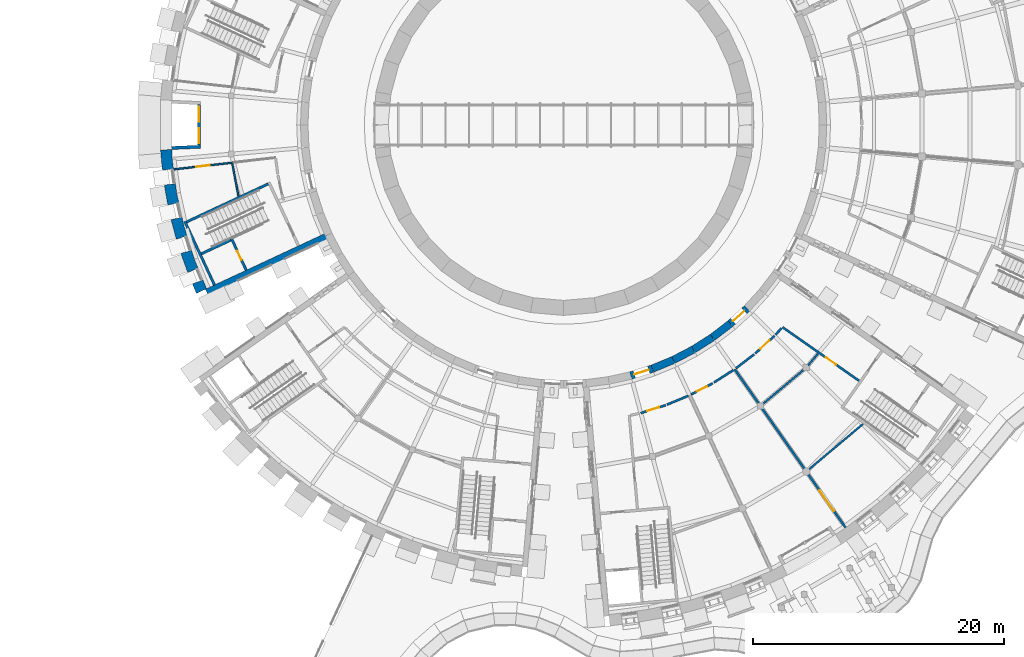
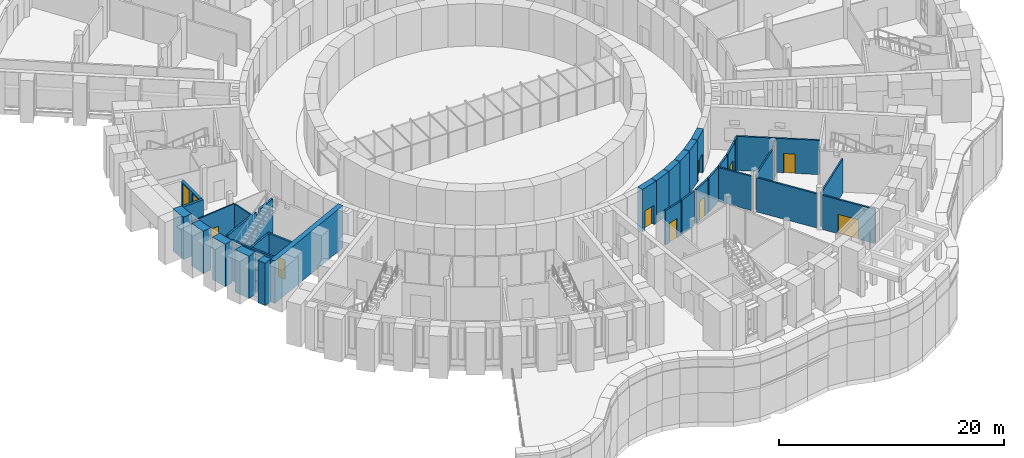
# One storey, part 49 of 85: 34 walls, 9 doors, 2 windows, 11 openings.
"""IFC4 building model written with IfcOpenShell, lengths in metres."""

from ifc_helpers import new_model, si_unit, direction, frame, frame_2d, origin, place, context, subcontext, project, spatial, polyline, rectangle, outline, extrude, material, layer, layer_set, type_object, element, fill, save


model = new_model("IFC4")

# Units and contexts
model_context = context("Model", 3, precision=1e-05, world=origin(), true_north=direction((0.0, 1.0)))
body_context = subcontext(model_context, "Body", "Model", "MODEL_VIEW")
ifc_project = project(units=[si_unit("LENGTHUNIT", "METRE"), si_unit("AREAUNIT", "SQUARE_METRE"), si_unit("VOLUMEUNIT", "CUBIC_METRE"), si_unit("PLANEANGLEUNIT", "RADIAN"), si_unit("MASSUNIT", "GRAM", prefix="KILO")], contexts=[model_context])

# Site, building, storey
site_placement = place(None, origin())
site = spatial("IfcSite", under=ifc_project, at=site_placement, CompositionType="ELEMENT")
building_placement = place(site_placement, origin())
building = spatial("IfcBuilding", under=site, at=building_placement, Name="Volute Hill Aquarium", CompositionType="ELEMENT")
storey_placement = place(building_placement, origin())
storey = spatial("IfcBuildingStorey", under=building, at=storey_placement, Name="L01", CompositionType="ELEMENT", Elevation=0.0)

# Walls
ifc_material_1 = material(Name="Gypsum board on steel studs", Category="steel")
ifc_layer_1 = layer(ifc_material_1, 0.14990234375)
ifc_layer_set_1 = layer_set([ifc_layer_1], Name="Acoustic partition 150")
wall_type_1 = type_object("IfcWallType", Name="Acoustic partition 150", PredefinedType="PARTITIONING", material=ifc_layer_set_1)
wall_1_placement = place(storey_placement, frame((23.876708984375, -23.876708984375, 0.0), z_axis=(0.0, 0.0, 1.0), x_axis=(-0.766054856191, -0.642775199666, 0.0)))
element("IfcWall", 1, at=wall_1_placement, inside=storey, type_object=wall_type_1, Name="pw/S3/L01/005", PredefinedType="PARTITIONING", context=body_context, shape_type="SweptSolid", body=[
    extrude(rectangle(XDim=5.64599609375, YDim=0.14990234375, at=frame_2d((2.822998046875, 0.0))), origin(), (0.0, 0.0, 1.0), 3.7099609375),
])
wall_2_placement = place(storey_placement, frame((19.17919921875, -19.51708984375, 0.0), z_axis=(0.0, 0.0, 1.0), x_axis=(-0.766054249298, -0.642775922956, 0.0)))
element("IfcWall", 2, at=wall_2_placement, inside=storey, type_object=wall_type_1, Name="pw/S3/L01/009", PredefinedType="PARTITIONING", context=body_context, shape_type="SweptSolid", body=[
    extrude(rectangle(XDim=4.29345703125, YDim=0.14990234375, at=frame_2d((2.146728515625, 0.0))), origin(), (0.0, 0.0, 1.0), 3.7099609375),
])
wall_3_placement = place(storey_placement, frame((20.290771484375, -18.257080078125, 0.0), z_axis=(0.0, 0.0, 1.0), x_axis=(-0.642754365142, -0.766072337375, 0.0)))
element("IfcWall", 3, at=wall_3_placement, inside=storey, type_object=wall_type_1, Name="pw/S3/L01/021", PredefinedType="PARTITIONING", context=body_context, shape_type="SweptSolid", body=[
    extrude(rectangle(XDim=1.20361328125, YDim=0.14990234375, at=frame_2d((0.601806640625, 0.0))), origin(), (0.0, 0.0, 1.0), 3.7099609375),
])
ifc_material_2 = material(Name="Concrete C30/37", Category="concrete")
ifc_layer_2 = layer(ifc_material_2, 0.199951171875)
ifc_layer_set_2 = layer_set([ifc_layer_2], Name="Core wall 200 REI 60")
wall_type_2 = type_object("IfcWallType", Name="Core wall 200 REI 60", PredefinedType="SHEAR", material=ifc_layer_set_2)
wall_4_placement = place(storey_placement, frame((-23.5712890625, -4.7021484375, 0.0), z_axis=(0.0, 0.0, 1.0), x_axis=(-0.906300917592, -0.422632992999, 0.0)))
element("IfcWall", 4, at=wall_4_placement, inside=storey, type_object=wall_type_2, Name="wc/S1-B/L01/side", PredefinedType="SHEAR", context=body_context, shape_type="SweptSolid", body=[
    extrude(outline(polyline([(0.0, 0.0), (7.199951171875, 0.0), (7.199951171875, 4.35009765625), (7.14990234375, 3.8798828125), (6.949951171875, 3.8798828125), (6.89990234375, 4.35009765625), (2.55224609375, 4.35009765625), (2.502197265625, 3.830078125), (2.002197265625, 3.830078125), (1.952392578125, 4.35009765625), (0.0, 4.35009765625), (0.0, 0.0)])), frame((0.0, 0.10009765625, 0.0), z_axis=(0.0, -1.0, 0.0), x_axis=(1.0, 0.0, 0.0)), (0.0, 0.0, 1.0), 0.199951171875),
])
wall_5_placement = place(storey_placement, frame((-27.86279296875, -12.77197265625, 0.0), z_axis=(0.0, 0.0, 1.0), x_axis=(-0.422632457081, 0.906301167505, 0.0)))
element("IfcWall", 5, at=wall_5_placement, inside=storey, type_object=wall_type_2, Name="wc/S1-B/L01/out", PredefinedType="SHEAR", context=body_context, shape_type="SweptSolid", body=[
    extrude(outline(polyline([(0.0, 0.0), (5.599853515625, 0.0), (5.60009765625, 4.35009765625), (5.333984375, 4.35009765625), (5.283935546875, 3.8798828125), (4.783935546875, 3.8798828125), (4.73388671875, 4.35009765625), (0.0, 4.35009765625), (0.0, 0.0)])), frame((0.0, 0.10009765625, 0.0), z_axis=(0.0, -1.0, 0.0), x_axis=(1.0, 0.0, 0.0)), (0.0, 0.0, 1.0), 0.199951171875),
])

# Wall, opening, door
ifc_material_3 = material(Name="Gypsum board on steel studs", Category="steel")
ifc_layer_3 = layer(ifc_material_3, 0.175048828125)
ifc_layer_set_3 = layer_set([ifc_layer_3], Name="Corridor partition 175 EI 60")
wall_type_3 = type_object("IfcWallType", Name="Corridor partition 175 EI 60", PredefinedType="PARTITIONING", material=ifc_layer_set_3)
wall_6_placement = place(storey_placement, frame((23.57470703125, -20.41357421875, 0.0), z_axis=(0.0, 0.0, 1.0), x_axis=(-0.819168869171, 0.573552407179, 0.0)))
wall_6 = element("IfcWall", 6, at=wall_6_placement, inside=storey, type_object=wall_type_3, Name="pw/S3/L01/001", PredefinedType="PARTITIONING", context=body_context, shape_type="SweptSolid", body=[
    extrude(rectangle(XDim=7.458984375, YDim=0.175048828125, at=frame_2d((3.7294921875, 0.0))), origin(), (0.0, 0.0, 1.0), 3.7099609375),
])
opening_1_placement = place(wall_6_placement, frame((2.2294921875, 0.0, 0.0)))
opening_1 = element("IfcOpeningElement", 7, at=opening_1_placement, cuts=wall_6, Name="Opening D3.01.05", PredefinedType="OPENING", context=body_context, shape_type="SweptSolid", body=[
    extrude(rectangle(XDim=1.0, YDim=2.10009765625, at=frame_2d((0.5, 1.050048828125))), frame((0.0, 0.097412109375, 0.0), z_axis=(0.0, -1.0, 0.0), x_axis=(1.0, 0.0, 0.0)), (0.0, 0.0, 1.0), 0.195068359375),
])
ifc_material_4 = material(Name="Timber, fire-rated", Category="wood")
door_type_1 = type_object("IfcDoorType", Name="Door 1000 x 2100 single EI1 30", OperationType="SINGLE_SWING_LEFT", PredefinedType="DOOR", material=ifc_material_4)
door_1_placement = place(opening_1_placement, origin())
door_1 = element("IfcDoor", 8, at=door_1_placement, inside=storey, type_object=door_type_1, Name="d/S3/L01/05", OperationType="SINGLE_SWING_LEFT", OverallHeight=2.10009765625, OverallWidth=1.0, PredefinedType="DOOR", context=body_context, shape_type="SweptSolid", body=[
    extrude(rectangle(XDim=1.0, YDim=2.10009765625, at=frame_2d((0.5, 1.050048828125))), frame((0.0, 0.02490234375, 0.0), z_axis=(0.0, -1.0, 0.0), x_axis=(1.0, 0.0, 0.0)), (0.0, 0.0, 1.0), 0.050048828125),
])
fill(opening_1, door_1)

# Wall
wall_7_placement = place(storey_placement, frame((19.230224609375, -27.463623046875, 0.0), z_axis=(0.0, 0.0, 1.0), x_axis=(-0.573565028322, 0.819160032158, 0.0)))
element("IfcWall", 9, at=wall_7_placement, inside=storey, type_object=wall_type_3, Name="pw/S3/L01/003", PredefinedType="PARTITIONING", context=body_context, shape_type="SweptSolid", body=[
    extrude(rectangle(XDim=5.90380859375, YDim=0.175048828125, at=frame_2d((2.951904296875, 0.0))), origin(), (0.0, 0.0, 1.0), 3.7099609375),
])

# Wall, opening, door
wall_8_placement = place(storey_placement, frame((19.50537109375, -27.8564453125, 0.0), z_axis=(0.0, 0.0, 1.0), x_axis=(0.573553483217, -0.819168115767, 0.0)))
wall_8 = element("IfcWall", 10, at=wall_8_placement, inside=storey, type_object=wall_type_3, Name="pw/S3/L01/007", PredefinedType="PARTITIONING", context=body_context, shape_type="SweptSolid", body=[
    extrude(rectangle(XDim=5.213623046875, YDim=0.175048828125, at=frame_2d((2.60693359375, 0.0))), origin(), (0.0, 0.0, 1.0), 3.7099609375),
])
opening_2_placement = place(wall_8_placement, frame((1.606689453125, 0.0, 0.0)))
opening_2 = element("IfcOpeningElement", 11, at=opening_2_placement, cuts=wall_8, Name="Opening D3.01.07", PredefinedType="OPENING", context=body_context, shape_type="SweptSolid", body=[
    extrude(rectangle(XDim=2.0, YDim=2.10009765625, at=frame_2d((1.0, 1.050048828125))), frame((0.0, 0.097412109375, 0.0), z_axis=(0.0, -1.0, 0.0), x_axis=(1.0, 0.0, 0.0)), (0.0, 0.0, 1.0), 0.195068359375),
])
ifc_material_5 = material(Name="Timber, fire-rated", Category="wood")
door_type_2 = type_object("IfcDoorType", Name="Door 2000 x 2100 hall double EI1 30", OperationType="DOUBLE_DOOR_SINGLE_SWING", PredefinedType="DOOR", material=ifc_material_5)
door_2_placement = place(opening_2_placement, origin())
door_2 = element("IfcDoor", 12, at=door_2_placement, inside=storey, type_object=door_type_2, Name="d/S3/L01/07", OperationType="SINGLE_SWING_LEFT", OverallHeight=2.10009765625, OverallWidth=2.0, PredefinedType="DOOR", context=body_context, shape_type="SweptSolid", body=[
    extrude(rectangle(XDim=2.0, YDim=2.10009765625, at=frame_2d((1.0, 1.050048828125))), frame((0.0, 0.02490234375, 0.0), z_axis=(0.0, -1.0, 0.0), x_axis=(1.0, 0.0, 0.0)), (0.0, 0.0, 1.0), 0.050048828125),
])
fill(opening_2, door_2)

# Wall
wall_9_placement = place(storey_placement, frame((15.56884765625, -22.234619140625, 0.0), z_axis=(0.0, 0.0, 1.0), x_axis=(-0.573579956171, 0.819149579673, 0.0)))
element("IfcWall", 13, at=wall_9_placement, inside=storey, type_object=wall_type_3, Name="pw/S3/L01/012", PredefinedType="PARTITIONING", context=body_context, shape_type="SweptSolid", body=[
    extrude(rectangle(XDim=3.343505859375, YDim=0.175048828125, at=frame_2d((1.671875, 0.0))), origin(), (0.0, 0.0, 1.0), 3.7099609375),
])

# Wall, opening, door
wall_10_placement = place(storey_placement, frame((16.8291015625, -16.8291015625, 0.0), z_axis=(0.0, 0.0, 1.0), x_axis=(-0.737241988031, -0.675628782013, 0.0)))
wall_10 = element("IfcWall", 14, at=wall_10_placement, inside=storey, type_object=wall_type_3, Name="pw/S3/L01/013", PredefinedType="PARTITIONING", context=body_context, shape_type="SweptSolid", body=[
    extrude(rectangle(XDim=2.076416015625, YDim=0.175048828125, at=frame_2d((1.0380859375, 0.0))), origin(), (0.0, 0.0, 1.0), 3.7099609375),
])
opening_3_placement = place(wall_10_placement, frame((0.5380859375, 0.0, 0.0)))
opening_3 = element("IfcOpeningElement", 15, at=opening_3_placement, cuts=wall_10, Name="Opening D3.01.04", PredefinedType="OPENING", context=body_context, shape_type="SweptSolid", body=[
    extrude(rectangle(XDim=1.0, YDim=2.10009765625, at=frame_2d((0.5, 1.050048828125))), frame((0.0, 0.097412109375, 0.0), z_axis=(0.0, -1.0, 0.0), x_axis=(1.0, 0.0, 0.0)), (0.0, 0.0, 1.0), 0.195068359375),
])
door_3_placement = place(opening_3_placement, origin())
door_3 = element("IfcDoor", 16, at=door_3_placement, inside=storey, type_object=door_type_1, Name="d/S3/L01/04", OperationType="SINGLE_SWING_RIGHT", OverallHeight=2.10009765625, OverallWidth=1.0, PredefinedType="DOOR", context=body_context, shape_type="SweptSolid", body=[
    extrude(rectangle(XDim=1.0, YDim=2.10009765625, at=frame_2d((0.5, 1.050048828125))), frame((0.0, 0.02490234375, 0.0), z_axis=(0.0, -1.0, 0.0), x_axis=(1.0, 0.0, 0.0)), (0.0, 0.0, 1.0), 0.050048828125),
])
fill(opening_3, door_3)

wall_11_placement = place(storey_placement, frame((11.89990234375, -20.611328125, 0.0), z_axis=(0.0, 0.0, 1.0), x_axis=(-0.886977909213, -0.46181185408, 0.0)))
wall_11 = element("IfcWall", 17, at=wall_11_placement, inside=storey, type_object=wall_type_3, Name="pw/S3/L01/014", PredefinedType="PARTITIONING", context=body_context, shape_type="SweptSolid", body=[
    extrude(rectangle(XDim=1.958740234375, YDim=0.175048828125, at=frame_2d((0.9794921875, 0.0))), origin(), (0.0, 0.0, 1.0), 3.7099609375),
])
opening_4_placement = place(wall_11_placement, frame((0.529296875, 0.0, 0.0)))
opening_4 = element("IfcOpeningElement", 18, at=opening_4_placement, cuts=wall_11, Name="Opening D3.01.01", PredefinedType="OPENING", context=body_context, shape_type="SweptSolid", body=[
    extrude(rectangle(XDim=0.89990234375, YDim=2.10009765625, at=frame_2d((0.449951171875, 1.050048828125))), frame((0.0, 0.097412109375, 0.0), z_axis=(0.0, -1.0, 0.0), x_axis=(1.0, 0.0, 0.0)), (0.0, 0.0, 1.0), 0.195068359375),
])
ifc_material_6 = material(Name="Timber, fire-rated", Category="wood")
door_type_3 = type_object("IfcDoorType", Name="Door 900 x 2100 wc single EI1 30", OperationType="SINGLE_SWING_LEFT", PredefinedType="DOOR", material=ifc_material_6)
door_4_placement = place(opening_4_placement, origin())
door_4 = element("IfcDoor", 19, at=door_4_placement, inside=storey, type_object=door_type_3, Name="d/S3/L01/01", OperationType="SINGLE_SWING_LEFT", OverallHeight=2.10009765625, OverallWidth=0.89990234375, PredefinedType="DOOR", context=body_context, shape_type="SweptSolid", body=[
    extrude(rectangle(XDim=0.89990234375, YDim=2.10009765625, at=frame_2d((0.449951171875, 1.050048828125))), frame((0.0, 0.02490234375, 0.0), z_axis=(0.0, -1.0, 0.0), x_axis=(1.0, 0.0, 0.0)), (0.0, 0.0, 1.0), 0.050048828125),
])
fill(opening_4, door_4)

wall_12_placement = place(storey_placement, frame((8.14013671875, -22.36474609375, 0.0), z_axis=(0.0, 0.0, 1.0), x_axis=(-0.953730050022, -0.300664250759, 0.0)))
wall_12 = element("IfcWall", 20, at=wall_12_placement, inside=storey, type_object=wall_type_3, Name="pw/S3/L01/015", PredefinedType="PARTITIONING", context=body_context, shape_type="SweptSolid", body=[
    extrude(rectangle(XDim=2.076416015625, YDim=0.175048828125, at=frame_2d((1.0380859375, 0.0))), origin(), (0.0, 0.0, 1.0), 3.7099609375),
])
opening_5_placement = place(wall_12_placement, frame((0.5380859375, 0.0, 0.0)))
opening_5 = element("IfcOpeningElement", 21, at=opening_5_placement, cuts=wall_12, Name="Opening D3.01.02", PredefinedType="OPENING", context=body_context, shape_type="SweptSolid", body=[
    extrude(rectangle(XDim=1.0, YDim=2.10009765625, at=frame_2d((0.5, 1.050048828125))), frame((0.0, 0.097412109375, 0.0), z_axis=(0.0, -1.0, 0.0), x_axis=(1.0, 0.0, 0.0)), (0.0, 0.0, 1.0), 0.195068359375),
])
door_5_placement = place(opening_5_placement, origin())
door_5 = element("IfcDoor", 22, at=door_5_placement, inside=storey, type_object=door_type_1, Name="d/S3/L01/02", OperationType="SINGLE_SWING_RIGHT", OverallHeight=2.10009765625, OverallWidth=1.0, PredefinedType="DOOR", context=body_context, shape_type="SweptSolid", body=[
    extrude(rectangle(XDim=1.0, YDim=2.10009765625, at=frame_2d((0.5, 1.050048828125))), frame((0.0, 0.02490234375, 0.0), z_axis=(0.0, -1.0, 0.0), x_axis=(1.0, 0.0, 0.0)), (0.0, 0.0, 1.0), 0.050048828125),
])
fill(opening_5, door_5)

# Walls
for number, where, z_axis, x_axis, name in (
    (23, (13.552001953125, -19.558837890625, 0.0), (0.0, 0.0, 1.0), (-0.843355631899, -0.537355820797, 0.0), "pw/S3/L01/016"),
    (24, (9.94970703125, -21.614990234375, 0.0), (0.0, 0.0, 1.0), (-0.923890787601, -0.382656259044, 0.0), "pw/S3/L01/017"),
):
    element("IfcWall", number, at=place(storey_placement, frame(where, z_axis=z_axis, x_axis=x_axis)), inside=storey, type_object=wall_type_3, Name=name, PredefinedType="PARTITIONING", context=body_context, shape_type="SweptSolid", body=[
        extrude(rectangle(XDim=1.84130859375, YDim=0.175048828125, at=frame_2d((0.920654296875, 0.0))), origin(), (0.0, 0.0, 1.0), 3.7099609375),
    ])
wall_13_placement = place(storey_placement, frame((15.205078125, -18.303466796875, 0.0), z_axis=(0.0, 0.0, 1.0), x_axis=(-0.793348048489, -0.608768325357, 0.0)))
element("IfcWall", 25, at=wall_13_placement, inside=storey, type_object=wall_type_3, Name="pw/S3/L01/018", PredefinedType="PARTITIONING", context=body_context, shape_type="SweptSolid", body=[
    extrude(rectangle(XDim=1.841064453125, YDim=0.175048828125, at=frame_2d((0.92041015625, 0.0))), origin(), (0.0, 0.0, 1.0), 3.7099609375),
])
wall_14_placement = place(storey_placement, frame((17.385498046875, -16.22216796875, 0.0), z_axis=(0.0, 0.0, 1.0), x_axis=(-0.675834256002, -0.737053633337, 0.0)))
element("IfcWall", 26, at=wall_14_placement, inside=storey, type_object=wall_type_3, Name="pw/S3/L01/023", PredefinedType="PARTITIONING", context=body_context, shape_type="SweptSolid", body=[
    extrude(rectangle(XDim=0.705810546875, YDim=0.175048828125, at=frame_2d((0.35302734375, 0.0))), origin(), (0.0, 0.0, 1.0), 3.7099609375),
])

# Wall, opening, door
ifc_material_7 = material(Name="Concrete C35/45", Category="concrete")
ifc_layer_4 = layer(ifc_material_7, 0.60009765625)
ifc_layer_set_4 = layer_set([ifc_layer_4], Name="Drum wall C35/45 600")
wall_type_4 = type_object("IfcWallType", Name="Drum wall C35/45 600", PredefinedType="SHEAR", material=ifc_layer_set_4)
wall_15_placement = place(storey_placement, frame((5.357666015625, -19.99462890625, 0.0), z_axis=(0.0, 0.0, 1.0), x_axis=(0.953721512733, 0.300691330354, 0.0)))
wall_15 = element("IfcWall", 27, at=wall_15_placement, inside=storey, type_object=wall_type_4, Name="sw/DR/L01/57", PredefinedType="SHEAR", context=body_context, shape_type="SweptSolid", body=[
    extrude(rectangle(XDim=1.8056640625, YDim=0.60009765625, at=frame_2d((0.90283203125, 0.0))), origin(), (0.0, 0.0, 1.0), 4.60009765625),
])
opening_6_placement = place(wall_15_placement, frame((0.302978515625, 0.0, 0.0)))
opening_6 = element("IfcOpeningElement", 28, at=opening_6_placement, cuts=wall_15, Name="Opening D3.01.R1", PredefinedType="OPENING", context=body_context, shape_type="SweptSolid", body=[
    extrude(rectangle(XDim=1.199951171875, YDim=2.10009765625, at=frame_2d((0.60009765625, 1.050048828125))), frame((0.0, 0.31005859375, 0.0), z_axis=(0.0, -1.0, 0.0), x_axis=(1.0, 0.0, 0.0)), (0.0, 0.0, 1.0), 0.6201171875),
])
ifc_material_8 = material(Name="Timber", Category="wood")
door_type_4 = type_object("IfcDoorType", Name="Door 1200 x 2100 drum double", OperationType="DOUBLE_DOOR_SINGLE_SWING", PredefinedType="DOOR", material=ifc_material_8)
door_6_placement = place(opening_6_placement, origin())
door_6 = element("IfcDoor", 29, at=door_6_placement, inside=storey, type_object=door_type_4, Name="d/S3/L01/dr1", OperationType="SINGLE_SWING_LEFT", OverallHeight=2.10009765625, OverallWidth=1.199951171875, PredefinedType="DOOR", context=body_context, shape_type="SweptSolid", body=[
    extrude(rectangle(XDim=1.199951171875, YDim=2.10009765625, at=frame_2d((0.60009765625, 1.050048828125))), frame((0.0, 0.02490234375, 0.0), z_axis=(0.0, -1.0, 0.0), x_axis=(1.0, 0.0, 0.0)), (0.0, 0.0, 1.0), 0.050048828125),
])
fill(opening_6, door_6)

# Walls
for number, where, z_axis, x_axis, name in (
    (30, (7.079833984375, -19.45166015625, 0.0), (0.0, 0.0, 1.0), (0.923866889322, 0.382713954298, 0.0), "sw/DR/L01/58"),
    (31, (8.748291015625, -18.760498046875, 0.0), (0.0, 0.0, 1.0), (0.887035219654, 0.461701764231, 0.0), "sw/DR/L01/59"),
    (32, (10.35009765625, -17.9267578125, 0.0), (0.0, 0.0, 1.0), (0.843332890803, 0.537391510251, 0.0), "sw/DR/L01/60"),
):
    element("IfcWall", number, at=place(storey_placement, frame(where, z_axis=z_axis, x_axis=x_axis)), inside=storey, type_object=wall_type_4, Name=name, PredefinedType="SHEAR", context=body_context, shape_type="SweptSolid", body=[
        extrude(rectangle(XDim=1.805908203125, YDim=0.60009765625, at=frame_2d((0.90283203125, 0.0))), origin(), (0.0, 0.0, 1.0), 4.60009765625),
    ])
wall_16_placement = place(storey_placement, frame((11.873046875, -16.956298828125, 0.0), z_axis=(0.0, 0.0, 1.0), x_axis=(0.793397400526, 0.608704004289, 0.0)))
element("IfcWall", 33, at=wall_16_placement, inside=storey, type_object=wall_type_4, Name="sw/DR/L01/61", PredefinedType="SHEAR", context=body_context, shape_type="SweptSolid", body=[
    extrude(rectangle(XDim=1.8056640625, YDim=0.60009765625, at=frame_2d((0.90283203125, 0.0))), origin(), (0.0, 0.0, 1.0), 4.60009765625),
])

# Wall, opening, door
wall_17_placement = place(storey_placement, frame((13.3056640625, -15.857177734375, 0.0), z_axis=(0.0, 0.0, 1.0), x_axis=(0.737322466268, 0.675540954152, 0.0)))
wall_17 = element("IfcWall", 34, at=wall_17_placement, inside=storey, type_object=wall_type_4, Name="sw/DR/L01/62", PredefinedType="SHEAR", context=body_context, shape_type="SweptSolid", body=[
    extrude(rectangle(XDim=1.805908203125, YDim=0.60009765625, at=frame_2d((0.90283203125, 0.0))), origin(), (0.0, 0.0, 1.0), 4.60009765625),
])
opening_7_placement = place(wall_17_placement, frame((0.302978515625, 0.0, 0.0)))
opening_7 = element("IfcOpeningElement", 35, at=opening_7_placement, cuts=wall_17, Name="Opening D3.01.R2", PredefinedType="OPENING", context=body_context, shape_type="SweptSolid", body=[
    extrude(rectangle(XDim=1.199951171875, YDim=2.10009765625, at=frame_2d((0.60009765625, 1.050048828125))), frame((0.0, 0.31005859375, 0.0), z_axis=(0.0, -1.0, 0.0), x_axis=(1.0, 0.0, 0.0)), (0.0, 0.0, 1.0), 0.6201171875),
])
door_7_placement = place(opening_7_placement, origin())
door_7 = element("IfcDoor", 36, at=door_7_placement, inside=storey, type_object=door_type_4, Name="d/S3/L01/dr2", OperationType="SINGLE_SWING_LEFT", OverallHeight=2.10009765625, OverallWidth=1.199951171875, PredefinedType="DOOR", context=body_context, shape_type="SweptSolid", body=[
    extrude(rectangle(XDim=1.199951171875, YDim=2.10009765625, at=frame_2d((0.60009765625, 1.050048828125))), frame((0.0, 0.02490234375, 0.0), z_axis=(0.0, -1.0, 0.0), x_axis=(1.0, 0.0, 0.0)), (0.0, 0.0, 1.0), 0.050048828125),
])
fill(opening_7, door_7)

# Wall
ifc_material_9 = material(Name="Concrete C35/45", Category="concrete")
ifc_layer_5 = layer(ifc_material_9, 0.5)
ifc_layer_set_5 = layer_set([ifc_layer_5], Name="End wall 500 C35/45")
wall_type_5 = type_object("IfcWallType", Name="End wall 500 C35/45", PredefinedType="SHEAR", material=ifc_layer_set_5)
wall_18_placement = place(storey_placement, frame((-18.920654296875, -8.8779296875, 0.0), z_axis=(0.0, 0.0, 1.0), x_axis=(-0.90630311696, -0.422628276607, 0.0)))
element("IfcWall", 37, at=wall_18_placement, inside=storey, type_object=wall_type_5, Name="sw/S1/L01/endB", PredefinedType="SHEAR", context=body_context, shape_type="SweptSolid", body=[
    extrude(rectangle(XDim=10.550048828125, YDim=0.5, at=frame_2d((5.27490234375, 0.0))), origin(), (0.0, 0.0, 1.0), 4.60009765625),
])

# Wall, openings, windows
ifc_material_10 = material(Name="Concrete C30/37", Category="concrete")
ifc_layer_6 = layer(ifc_material_10, 0.25)
ifc_layer_set_6 = layer_set([ifc_layer_6], Name="Glazed entrance wall 250")
wall_type_6 = type_object("IfcWallType", Name="Glazed entrance wall 250", PredefinedType="NOTDEFINED", material=ifc_layer_set_6)
wall_19_placement = place(storey_placement, frame((-29.090087890625, -1.616943359375, 0.0), z_axis=(0.0, 0.0, 1.0), x_axis=(0.0, 1.0, 0.0)))
wall_19 = element("IfcWall", 38, at=wall_19_placement, inside=storey, type_object=wall_type_6, Name="Glazed entrance wall OWN S1 L01", PredefinedType="NOTDEFINED", context=body_context, shape_type="SweptSolid", body=[
    extrude(rectangle(XDim=3.23388671875, YDim=0.25, at=frame_2d((1.616943359375, 0.0))), origin(), (0.0, 0.0, 1.0), 4.3798828125),
])
opening_8_placement = place(wall_19_placement, frame((1.866943359375, 0.0, 0.89990234375)))
opening_8 = element("IfcOpeningElement", 39, at=opening_8_placement, cuts=wall_19, Name="Opening W2", PredefinedType="OPENING", context=body_context, shape_type="SweptSolid", body=[
    extrude(rectangle(XDim=1.199951171875, YDim=3.280029296875, at=frame_2d((0.60009765625, 1.64013671875))), frame((0.0, 0.135009765625, 0.0), z_axis=(0.0, -1.0, 0.0), x_axis=(1.0, 0.0, 0.0)), (0.0, 0.0, 1.0), 0.27001953125),
])
opening_9_placement = place(wall_19_placement, frame((0.1669921875, 0.0, 0.89990234375)))
opening_9 = element("IfcOpeningElement", 40, at=opening_9_placement, cuts=wall_19, Name="Opening W2", PredefinedType="OPENING", context=body_context, shape_type="SweptSolid", body=[
    extrude(rectangle(XDim=1.199951171875, YDim=3.280029296875, at=frame_2d((0.60009765625, 1.64013671875))), frame((0.0, 0.135009765625, 0.0), z_axis=(0.0, -1.0, 0.0), x_axis=(1.0, 0.0, 0.0)), (0.0, 0.0, 1.0), 0.27001953125),
])
ifc_material_11 = material(Name="Aluminium and glass", Category="aluminium")
window_type = type_object("IfcWindowType", Name="Entrance window wall light 1200x3280", PartitioningType="SINGLE_PANEL", PredefinedType="WINDOW", material=ifc_material_11)
window_1_placement = place(opening_8_placement, origin())
window_1 = element("IfcWindow", 41, at=window_1_placement, inside=storey, type_object=window_type, Name="Entrance window S1 L01 1", OverallHeight=3.280029296875, OverallWidth=1.199951171875, PartitioningType="SINGLE_PANEL", PredefinedType="WINDOW", context=body_context, shape_type="SweptSolid", body=[
    extrude(rectangle(XDim=1.199951171875, YDim=3.280029296875, at=frame_2d((0.60009765625, 1.64013671875))), frame((0.0, 0.030029296875, 0.0), z_axis=(0.0, -1.0, 0.0), x_axis=(1.0, 0.0, 0.0)), (0.0, 0.0, 1.0), 0.06005859375),
])
fill(opening_8, window_1)
window_2_placement = place(opening_9_placement, origin())
window_2 = element("IfcWindow", 42, at=window_2_placement, inside=storey, type_object=window_type, Name="Entrance window S1 L01 2", OverallHeight=3.280029296875, OverallWidth=1.199951171875, PartitioningType="SINGLE_PANEL", PredefinedType="WINDOW", context=body_context, shape_type="SweptSolid", body=[
    extrude(rectangle(XDim=1.199951171875, YDim=3.280029296875, at=frame_2d((0.60009765625, 1.64013671875))), frame((0.0, 0.030029296875, 0.0), z_axis=(0.0, -1.0, 0.0), x_axis=(1.0, 0.0, 0.0)), (0.0, 0.0, 1.0), 0.06005859375),
])
fill(opening_9, window_2)

# Walls
ifc_material_12 = material(Name="Precast concrete C40/50", Category="concrete")
ifc_layer_7 = layer(ifc_material_12, 0.89990234375)
ifc_layer_set_7 = layer_set([ifc_layer_7], Name="Outer pier precast concrete C40/50 900")
wall_type_7 = type_object("IfcWallType", Name="Outer pier precast concrete C40/50 900", PredefinedType="NOTDEFINED", material=ifc_layer_set_7)
wall_20_placement = place(storey_placement, origin())
element("IfcWall", 43, at=wall_20_placement, inside=storey, type_object=wall_type_7, Name="Outer pier OWP S1 L01 7", PredefinedType="NOTDEFINED", context=body_context, shape_type="SweptSolid", body=[
    extrude(outline(polyline([(-31.263916015625, -1.962158203125), (-32.1630859375, -2.00146484375), (-32.02197265625, -3.6142578125), (-31.129638671875, -3.496826171875), (-31.230224609375, -2.732421875), (-31.263916015625, -1.962158203125)])), origin(), (0.0, 0.0, 1.0), 4.60009765625),
])
wall_21_placement = place(storey_placement, origin())
element("IfcWall", 44, at=wall_21_placement, inside=storey, type_object=wall_type_7, Name="Outer pier OWP S1 L01 8", PredefinedType="NOTDEFINED", context=body_context, shape_type="SweptSolid", body=[
    extrude(outline(polyline([(-30.973876953125, -4.679443359375), (-31.8662109375, -4.797119140625), (-31.5849609375, -6.391357421875), (-30.706298828125, -6.196533203125), (-30.873291015625, -5.44384765625), (-30.973876953125, -4.679443359375)])), origin(), (0.0, 0.0, 1.0), 4.60009765625),
])
wall_22_placement = place(storey_placement, origin())
element("IfcWall", 45, at=wall_22_placement, inside=storey, type_object=wall_type_7, Name="Outer pier OWP S1 L01 9", PredefinedType="NOTDEFINED", context=body_context, shape_type="SweptSolid", body=[
    extrude(outline(polyline([(-30.4482421875, -7.361083984375), (-31.326904296875, -7.555908203125), (-30.90771484375, -9.119873046875), (-30.049560546875, -8.84912109375), (-30.281494140625, -8.114013671875), (-30.4482421875, -7.361083984375)])), origin(), (0.0, 0.0, 1.0), 4.60009765625),
])
wall_23_placement = place(storey_placement, origin())
element("IfcWall", 46, at=wall_23_placement, inside=storey, type_object=wall_type_7, Name="Outer pier OWP S1 L01 10", PredefinedType="NOTDEFINED", context=body_context, shape_type="SweptSolid", body=[
    extrude(outline(polyline([(-29.690673828125, -9.98681640625), (-30.549072265625, -10.257568359375), (-29.995361328125, -11.77880859375), (-29.163818359375, -11.4345703125), (-29.458984375, -10.72216796875), (-29.690673828125, -9.98681640625)])), origin(), (0.0, 0.0, 1.0), 4.60009765625),
])
wall_24_placement = place(storey_placement, origin())
element("IfcWall", 47, at=wall_24_placement, inside=storey, type_object=wall_type_7, Name="Outer pier OWP S1 L01 11", PredefinedType="NOTDEFINED", context=body_context, shape_type="SweptSolid", body=[
    extrude(outline(polyline([(-28.783935546875, -12.3515625), (-29.615478515625, -12.696044921875), (-29.305419921875, -13.444580078125), (-28.489013671875, -13.06396484375), (-28.783935546875, -12.3515625)])), origin(), (0.0, 0.0, 1.0), 4.60009765625),
])
ifc_material_13 = material(Name="Concrete C30/37", Category="concrete")
ifc_layer_8 = layer(ifc_material_13, 0.25)
ifc_layer_set_8 = layer_set([ifc_layer_8], Name="Portal cheek wall 250")
wall_type_8 = type_object("IfcWallType", Name="Portal cheek wall 250", PredefinedType="NOTDEFINED", material=ifc_layer_set_8)
wall_25_placement = place(storey_placement, origin())
element("IfcWall", 48, at=wall_25_placement, inside=storey, type_object=wall_type_8, Name="Portal cheek wall OWN S1 L01 B", PredefinedType="NOTDEFINED", context=body_context, shape_type="SweptSolid", body=[
    extrude(outline(polyline([(-31.263916015625, -1.962158203125), (-28.965087890625, -1.86181640625), (-28.97607421875, -1.612060546875), (-31.27490234375, -1.71240234375), (-31.263916015625, -1.962158203125)])), origin(), (0.0, 0.0, 1.0), 4.3798828125),
])

# Wall, opening, door
ifc_material_14 = material(Name="Masonry blockwork", Category="masonry")
ifc_layer_9 = layer(ifc_material_14, 0.199951171875)
ifc_layer_set_9 = layer_set([ifc_layer_9], Name="Riser wall 200 EI 60")
wall_type_9 = type_object("IfcWallType", Name="Riser wall 200 EI 60", PredefinedType="SOLIDWALL", material=ifc_layer_set_9)
wall_26_placement = place(storey_placement, frame((-25.3251953125, -11.588623046875, 0.0), z_axis=(0.0, 0.0, 1.0), x_axis=(-0.422632457081, 0.906301167505, 0.0)))
wall_26 = element("IfcWall", 49, at=wall_26_placement, inside=storey, type_object=wall_type_9, Name="wc/S1-B/L01/front", PredefinedType="SOLIDWALL", context=body_context, shape_type="SweptSolid", body=[
    extrude(rectangle(XDim=2.800048828125, YDim=0.199951171875, at=frame_2d((1.39990234375, 0.0))), origin(), (0.0, 0.0, 1.0), 4.35009765625),
])
opening_10_placement = place(wall_26_placement, frame((0.89990234375, 0.0, 0.0)))
opening_10 = element("IfcOpeningElement", 50, at=opening_10_placement, cuts=wall_26, Name="Opening D1.01.BR", PredefinedType="OPENING", context=body_context, shape_type="SweptSolid", body=[
    extrude(rectangle(XDim=0.800048828125, YDim=2.10009765625, at=frame_2d((0.39990234375, 1.050048828125))), frame((0.0, 0.10986328125, 0.0), z_axis=(0.0, -1.0, 0.0), x_axis=(1.0, 0.0, 0.0)), (0.0, 0.0, 1.0), 0.219970703125),
])
ifc_material_15 = material(Name="Steel, fire-rated", Category="steel")
door_type_5 = type_object("IfcDoorType", Name="Door 800 x 2100 riser EI1 30", OperationType="SINGLE_SWING_LEFT", PredefinedType="DOOR", material=ifc_material_15)
door_8_placement = place(opening_10_placement, origin())
door_8 = element("IfcDoor", 51, at=door_8_placement, inside=storey, type_object=door_type_5, Name="d/S1-B/L01/rs", OperationType="SINGLE_SWING_LEFT", OverallHeight=2.10009765625, OverallWidth=0.800048828125, PredefinedType="DOOR", context=body_context, shape_type="SweptSolid", body=[
    extrude(rectangle(XDim=0.800048828125, YDim=2.10009765625, at=frame_2d((0.39990234375, 1.050048828125))), frame((0.0, 0.02490234375, 0.0), z_axis=(0.0, -1.0, 0.0), x_axis=(1.0, 0.0, 0.0)), (0.0, 0.0, 1.0), 0.050048828125),
])
fill(opening_10, door_8)

# Wall
wall_27_placement = place(storey_placement, frame((-26.556884765625, -9.183837890625, 0.0), z_axis=(0.0, 0.0, 1.0), x_axis=(-0.906300648467, -0.422633570115, 0.0)))
element("IfcWall", 52, at=wall_27_placement, inside=storey, type_object=wall_type_9, Name="wc/S1-B/L01/shaft-side", PredefinedType="SOLIDWALL", context=body_context, shape_type="SweptSolid", body=[
    extrude(rectangle(XDim=2.60009765625, YDim=0.199951171875, at=frame_2d((1.300048828125, 0.0))), origin(), (0.0, 0.0, 1.0), 4.35009765625),
])

# Wall, opening, door
ifc_material_16 = material(Name="Gypsum board on steel studs, tiled", Category="steel")
ifc_layer_10 = layer(ifc_material_16, 0.125)
ifc_layer_set_10 = layer_set([ifc_layer_10], Name="Wet-area partition 125")
wall_type_10 = type_object("IfcWallType", Name="Wet-area partition 125", PredefinedType="PARTITIONING", material=ifc_layer_set_10)
wall_28_placement = place(storey_placement, frame((-26.453857421875, -3.01416015625, 0.0), z_axis=(0.0, 0.0, 1.0), x_axis=(-0.993573891443, -0.113185344645, 0.0)))
wall_28 = element("IfcWall", 53, at=wall_28_placement, inside=storey, type_object=wall_type_10, Name="pw/S1/L01/002", PredefinedType="PARTITIONING", context=body_context, shape_type="SweptSolid", body=[
    extrude(rectangle(XDim=4.669921875, YDim=0.125, at=frame_2d((2.3349609375, 0.0))), origin(), (0.0, 0.0, 1.0), 3.81005859375),
])
opening_11_placement = place(wall_28_placement, frame((1.784912109375, 0.0, 0.0)))
opening_11 = element("IfcOpeningElement", 54, at=opening_11_placement, cuts=wall_28, Name="Opening D1.01.05", PredefinedType="OPENING", context=body_context, shape_type="SweptSolid", body=[
    extrude(rectangle(XDim=1.10009765625, YDim=2.10009765625, at=frame_2d((0.550048828125, 1.050048828125))), frame((0.0, 0.072509765625, 0.0), z_axis=(0.0, -1.0, 0.0), x_axis=(1.0, 0.0, 0.0)), (0.0, 0.0, 1.0), 0.14501953125),
])
ifc_material_17 = material(Name="Timber", Category="wood")
door_type_6 = type_object("IfcDoorType", Name="Door 1100 x 2100 accessible WC", OperationType="SINGLE_SWING_LEFT", PredefinedType="DOOR", material=ifc_material_17)
door_9_placement = place(opening_11_placement, origin())
door_9 = element("IfcDoor", 55, at=door_9_placement, inside=storey, type_object=door_type_6, Name="d/S1/L01/05", OperationType="SINGLE_SWING_LEFT", OverallHeight=2.10009765625, OverallWidth=1.10009765625, PredefinedType="DOOR", context=body_context, shape_type="SweptSolid", body=[
    extrude(rectangle(XDim=1.10009765625, YDim=2.10009765625, at=frame_2d((0.550048828125, 1.050048828125))), frame((0.0, 0.02490234375, 0.0), z_axis=(0.0, -1.0, 0.0), x_axis=(1.0, 0.0, 0.0)), (0.0, 0.0, 1.0), 0.050048828125),
])
fill(opening_11, door_9)

# Wall
wall_29_placement = place(storey_placement, frame((-25.949951171875, -5.66796875, 0.0), z_axis=(0.0, 0.0, 1.0), x_axis=(-0.186514318858, 0.982452242534, 0.0)))
element("IfcWall", 56, at=wall_29_placement, inside=storey, type_object=wall_type_10, Name="pw/S1/L01/006", PredefinedType="PARTITIONING", context=body_context, shape_type="SweptSolid", body=[
    extrude(rectangle(XDim=2.60888671875, YDim=0.125, at=frame_2d((1.304443359375, 0.0))), origin(), (0.0, 0.0, 1.0), 3.81005859375),
])

save(model, "model.ifc")
